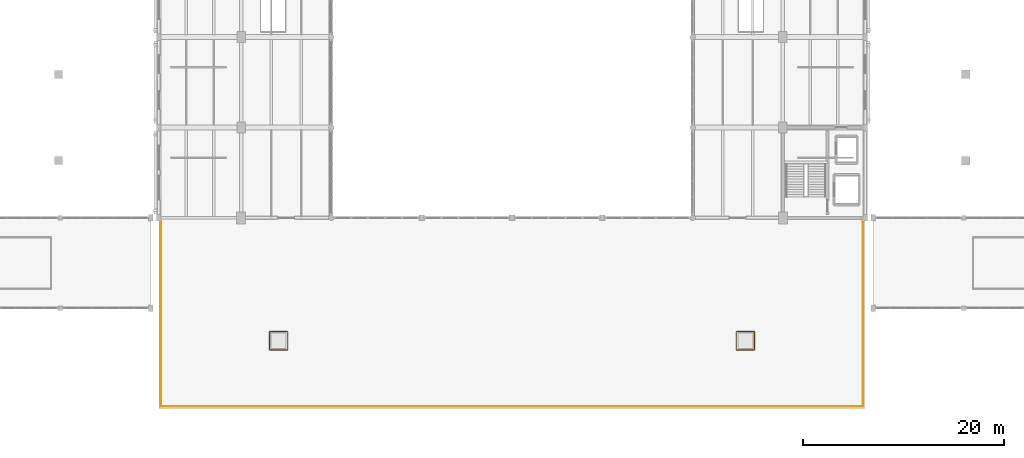
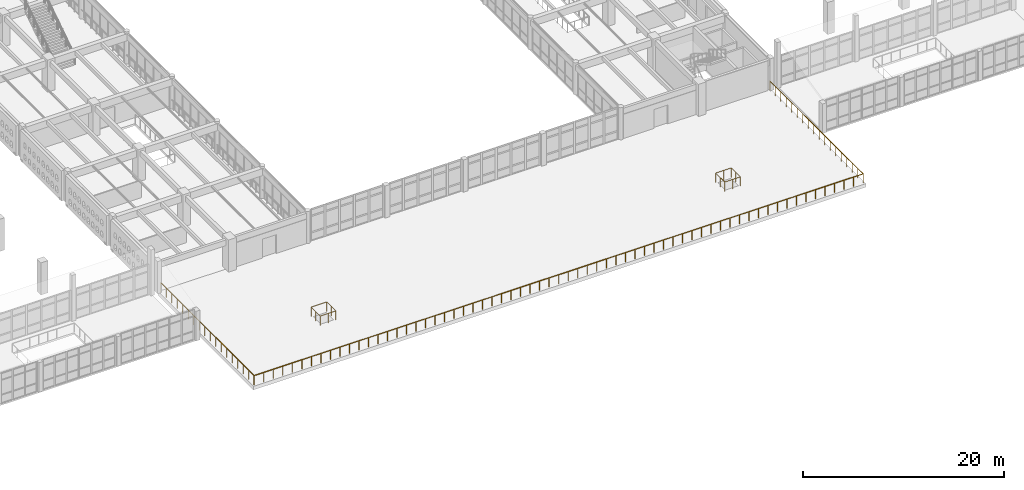
# One storey, part 145 of 156: 3 railings.
"""IFC4 building model written with IfcOpenShell, lengths in metres."""

import ifcopenshell
import ifcopenshell.guid

model = None  # the IFC model being written
_history = None  # IfcOwnerHistory: only IFC2X3 demands one
_inside = {}  # id of a spatial element -> (the spatial element, [elements in it])
_under = {}  # id of a project, library or spatial element -> (it, [spatial elements below it])
_declared = {}  # id of a project -> (the project, [libraries it declares])
_typed = {}  # id of a type object -> (the type object, [elements of that type])
_made_of = {}  # id of a material, layer set ... -> (it, [elements and type objects made of it])


def new_model(schema):
    """Start an empty IFC model of exactly this schema.

    Asked for "IFC4X3", IfcOpenShell would pick the latest addendum, in which some entities
    have other attributes; the version numbers below select the first issue.
    IFC2X3 requires an IfcOwnerHistory on every rooted entity: one is made here for all.
    """
    global model, _history
    if schema == "IFC4X3":
        model = ifcopenshell.file(schema_version=(4, 3, 0, 0))
    else:
        model = ifcopenshell.file(schema=schema)
    _inside.clear()
    _under.clear()
    _declared.clear()
    _typed.clear()
    _made_of.clear()
    _history = None
    if model.schema == "IFC2X3":
        org = make("IfcOrganization", Name="unknown")
        user = make(
            "IfcPersonAndOrganization",
            ThePerson=make("IfcPerson", FamilyName="unknown"),
            TheOrganization=org,
        )
        app = make(
            "IfcApplication",
            ApplicationDeveloper=org,
            Version="unknown",
            ApplicationFullName="unknown",
            ApplicationIdentifier="unknown",
        )
        _history = make(
            "IfcOwnerHistory",
            OwningUser=user,
            OwningApplication=app,
            ChangeAction="ADDED",
            CreationDate=0,
        )
    return model


def make(cls, **values):
    """One entity of the class cls with the attributes given. An attribute that is None is left unset."""
    return model.create_entity(
        cls, **{name: value for name, value in values.items() if value is not None}
    )


def rooted(cls, **values):
    """An entity with a GlobalId (a new one), such as an element, a storey or a relation."""
    return make(cls, GlobalId=ifcopenshell.guid.new(), OwnerHistory=_history, **values)


def si_unit(unit_type, name, prefix=None):
    """IfcSIUnit, for example si_unit("LENGTHUNIT", "METRE", prefix="MILLI")."""
    return make("IfcSIUnit", UnitType=unit_type, Prefix=prefix, Name=name)


def assignment(units):
    """IfcUnitAssignment: the units of a project."""
    return None if units is None else make("IfcUnitAssignment", Units=units)


def point(xyz):
    """IfcCartesianPoint."""
    return None if xyz is None else make("IfcCartesianPoint", Coordinates=xyz)


def direction(xyz):
    """IfcDirection."""
    return None if xyz is None else make("IfcDirection", DirectionRatios=xyz)


def frame(location, z_axis=None, x_axis=None):
    """IfcAxis2Placement3D, a coordinate frame: its origin and axes. An axis left out is left unset."""
    return make(
        "IfcAxis2Placement3D",
        Location=point(location),
        Axis=direction(z_axis),
        RefDirection=direction(x_axis),
    )


def frame_2d(location, x_axis=None):
    """IfcAxis2Placement2D, a coordinate frame in the plane: its origin and x axis."""
    return make(
        "IfcAxis2Placement2D", Location=point(location), RefDirection=direction(x_axis)
    )


def origin():
    """The frame at (0, 0, 0) with its axes left unset."""
    return frame((0.0, 0.0, 0.0))


def origin_2d():
    """The frame at (0, 0) in the plane with its x axis left unset."""
    return frame_2d((0.0, 0.0))


def place(relative_to, where):
    """IfcLocalPlacement: puts the frame where relative to a parent placement (None: the world)."""
    return make(
        "IfcLocalPlacement", PlacementRelTo=relative_to, RelativePlacement=where
    )


def context(
    kind, dimensions, precision=None, world=None, true_north=None, identifier=None
):
    """IfcGeometricRepresentationContext, for example the 3D "Model" context."""
    return make(
        "IfcGeometricRepresentationContext",
        ContextIdentifier=identifier,
        ContextType=kind,
        CoordinateSpaceDimension=dimensions,
        Precision=precision,
        WorldCoordinateSystem=world,
        TrueNorth=true_north,
    )


def subcontext(parent, identifier, kind, view, scale=None):
    """IfcGeometricRepresentationSubContext, for example "Body" below "Model"."""
    return make(
        "IfcGeometricRepresentationSubContext",
        ContextIdentifier=identifier,
        ContextType=kind,
        ParentContext=parent,
        TargetScale=scale,
        TargetView=view,
    )


def project(units=None, contexts=None):
    """IfcProject with its units and contexts."""
    return rooted(
        "IfcProject",
        Name="project",
        RepresentationContexts=contexts,
        UnitsInContext=assignment(units),
    )


def spatial(cls, under=None, at=None, **own):
    """A site, building, storey or space (cls), placed at a placement, below another one or the project."""
    s = rooted(cls, ObjectPlacement=at, **own)
    if under is not None:
        _under.setdefault(under.id(), (under, []))[1].append(s)
    return s


def profile(cls, at=None, kind="AREA", **sizes):
    """A parametric profile (cls). Its sizes go by their IFC names, for example OverallWidth=200.0."""
    return make(cls, ProfileType=kind, Position=at, **sizes)


def circle(**sizes):
    """IfcCircleProfileDef."""
    return profile("IfcCircleProfileDef", **sizes)


def extrude(swept, where, along, depth):
    """IfcExtrudedAreaSolid: the profile swept, set in the frame where, extruded along a direction by depth."""
    return make(
        "IfcExtrudedAreaSolid",
        SweptArea=swept,
        Position=where,
        ExtrudedDirection=direction(along),
        Depth=depth,
    )


def shape(context_of_items, identifier, shape_type, items):
    """IfcShapeRepresentation: the items that make up one representation, for example the "Body"."""
    return make(
        "IfcShapeRepresentation",
        ContextOfItems=context_of_items,
        RepresentationIdentifier=identifier,
        RepresentationType=shape_type,
        Items=items,
    )


def material(Name=None, Category=None):
    """IfcMaterial."""
    return make("IfcMaterial", Name=Name, Category=Category)


def made_of(thing, what):
    """Note that an element or type object is made of a material, layer set ...; save() writes the relation."""
    if what is not None:
        _made_of.setdefault(what.id(), (what, []))[1].append(thing)
    return thing


def type_object(cls, material=None, **own):
    """A type object (cls), such as IfcWallType, which elements share."""
    return made_of(rooted(cls, **own), material)


def element(
    cls,
    number,
    at=None,
    inside=None,
    cuts=None,
    type_object=None,
    material=None,
    context=None,
    identifier="Body",
    shape_type=None,
    held_by="IfcProductDefinitionShape",
    body=None,
    shapes=None,
    **own,
):
    """One element of the class cls, such as IfcWall. Its Tag is "e" and its number.

    at: its placement. inside: the storey or other place that contains it. cuts: it is an
    opening in that element (IfcRelVoidsElement). A single representation is given by context,
    identifier, shape_type and body (its items); several are given by shapes. held_by: the class
    of the entity that holds the representations. save() writes the other relations.
    """
    e = rooted(cls, Tag="e%d" % number, ObjectPlacement=at, **own)
    if body is not None:
        shapes = [shape(context, identifier, shape_type, body)]
    if shapes is not None:
        e.Representation = make(held_by, Representations=shapes)
    if inside is not None:
        _inside.setdefault(inside.id(), (inside, []))[1].append(e)
    if cuts is not None:
        rooted(
            "IfcRelVoidsElement", RelatingBuildingElement=cuts, RelatedOpeningElement=e
        )
    if type_object is not None:
        _typed.setdefault(type_object.id(), (type_object, []))[1].append(e)
    return made_of(e, material)


def aggregate(whole, parts):
    """IfcRelAggregates: a whole, such as a stair, and the parts it consists of."""
    return rooted("IfcRelAggregates", RelatingObject=whole, RelatedObjects=parts)


def save(model, path):
    """Write the relations noted so far, then the file.

    IfcRelAggregates (storeys below a building ...), IfcRelContainedInSpatialStructure (elements
    in a storey), IfcRelDefinesByType, IfcRelAssociatesMaterial and IfcRelDeclares: one each for
    every whole, place, type object, material and project.
    """
    for whole, parts in _under.values():
        aggregate(whole, parts)
    for where, things in _inside.values():
        rooted(
            "IfcRelContainedInSpatialStructure",
            RelatedElements=things,
            RelatingStructure=where,
        )
    for kind, things in _typed.values():
        rooted("IfcRelDefinesByType", RelatedObjects=things, RelatingType=kind)
    for what, things in _made_of.values():
        rooted("IfcRelAssociatesMaterial", RelatedObjects=things, RelatingMaterial=what)
    for by, libraries in _declared.values():
        rooted("IfcRelDeclares", RelatingContext=by, RelatedDefinitions=libraries)
    model.write(path)


model = new_model("IFC4")

# Units and contexts
model_context = context("Model", 3, precision=1e-05, world=origin(), true_north=direction((0.0, 1.0)))
body_context = subcontext(model_context, "Body", "Model", "MODEL_VIEW")
ifc_project = project(units=[si_unit("LENGTHUNIT", "METRE"), si_unit("AREAUNIT", "SQUARE_METRE"), si_unit("VOLUMEUNIT", "CUBIC_METRE"), si_unit("PLANEANGLEUNIT", "RADIAN"), si_unit("MASSUNIT", "GRAM", prefix="KILO")], contexts=[model_context])

# Site, building, storey
site_placement = place(None, origin())
site = spatial("IfcSite", under=ifc_project, at=site_placement, CompositionType="ELEMENT")
building_placement = place(site_placement, origin())
building = spatial("IfcBuilding", under=site, at=building_placement, Name="Ornek Quay Market", CompositionType="ELEMENT")
storey_placement = place(building_placement, frame((0.0, 0.0, 4.5)))
storey = spatial("IfcBuildingStorey", under=building, at=storey_placement, Name="L01", CompositionType="ELEMENT", Elevation=4.5)

# Railings
ifc_material = material(Name="Anodised bronze steel and laminated safety glass", Category="steel")
railing_type = type_object("IfcRailingType", Name="RL-GUARD-TER-1150", PredefinedType="BALUSTRADE", material=ifc_material)
railing_placement = place(storey_placement, frame((55.0, 28.800048828125, 0.0)))
element("IfcRailing", 1, at=railing_placement, inside=storey, type_object=railing_type, Name="Terrace balustrade GT-01", PredefinedType="BALUSTRADE", context=body_context, shape_type="SweptSolid", body=[
    extrude(circle(Radius=0.02392578125, at=origin_2d()), frame((0.0, 0.0, 1.1259765625), z_axis=(0.0, -1.0, 0.0), x_axis=(1.0, 0.0, 0.0)), (0.0, 0.0, 1.0), 18.570068359375),
    extrude(circle(Radius=0.02392578125, at=origin_2d()), frame((0.030029296875, -18.60009765625, 1.1259765625), z_axis=(1.0, 0.0, 0.0), x_axis=(0.0, 1.0, 0.0)), (0.0, 0.0, 1.0), 69.93994140625),
    extrude(circle(Radius=0.02392578125, at=origin_2d()), frame((70.0, -18.570068359375, 1.1259765625), z_axis=(0.0, 1.0, 0.0), x_axis=(-1.0, 0.0, 0.0)), (0.0, 0.0, 1.0), 18.570068359375),
    extrude(circle(Radius=0.02099609375, at=origin_2d()), origin(), (0.0, 0.0, 1.0), 1.097900390625),
    extrude(circle(Radius=0.02099609375, at=origin_2d()), frame((0.0, -1.09423828125, 0.0)), (0.0, 0.0, 1.0), 1.097900390625),
    extrude(circle(Radius=0.02099609375, at=origin_2d()), frame((0.0, -2.188232421875, 0.0)), (0.0, 0.0, 1.0), 1.097900390625),
    extrude(circle(Radius=0.02099609375, at=origin_2d()), frame((0.0, -3.282470703125, 0.0)), (0.0, 0.0, 1.0), 1.097900390625),
    extrude(circle(Radius=0.02099609375, at=origin_2d()), frame((0.0, -4.37646484375, 0.0)), (0.0, 0.0, 1.0), 1.097900390625),
    extrude(circle(Radius=0.02099609375, at=origin_2d()), frame((0.0, -5.470703125, 0.0)), (0.0, 0.0, 1.0), 1.097900390625),
    extrude(circle(Radius=0.02099609375, at=origin_2d()), frame((0.0, -6.564697265625, 0.0)), (0.0, 0.0, 1.0), 1.097900390625),
    extrude(circle(Radius=0.02099609375, at=origin_2d()), frame((0.0, -7.658935546875, 0.0)), (0.0, 0.0, 1.0), 1.097900390625),
    extrude(circle(Radius=0.02099609375, at=origin_2d()), frame((0.0, -8.7529296875, 0.0)), (0.0, 0.0, 1.0), 1.097900390625),
    extrude(circle(Radius=0.02099609375, at=origin_2d()), frame((0.0, -9.84716796875, 0.0)), (0.0, 0.0, 1.0), 1.097900390625),
    extrude(circle(Radius=0.02099609375, at=origin_2d()), frame((0.0, -10.941162109375, 0.0)), (0.0, 0.0, 1.0), 1.097900390625),
    extrude(circle(Radius=0.02099609375, at=origin_2d()), frame((0.0, -12.035400390625, 0.0)), (0.0, 0.0, 1.0), 1.097900390625),
    extrude(circle(Radius=0.02099609375, at=origin_2d()), frame((0.0, -13.12939453125, 0.0)), (0.0, 0.0, 1.0), 1.097900390625),
    extrude(circle(Radius=0.02099609375, at=origin_2d()), frame((0.0, -14.2236328125, 0.0)), (0.0, 0.0, 1.0), 1.097900390625),
    extrude(circle(Radius=0.02099609375, at=origin_2d()), frame((0.0, -15.317626953125, 0.0)), (0.0, 0.0, 1.0), 1.097900390625),
    extrude(circle(Radius=0.02099609375, at=origin_2d()), frame((0.0, -16.411865234375, 0.0)), (0.0, 0.0, 1.0), 1.097900390625),
    extrude(circle(Radius=0.02099609375, at=origin_2d()), frame((0.0, -17.505859375, 0.0)), (0.0, 0.0, 1.0), 1.097900390625),
    extrude(circle(Radius=0.02099609375, at=origin_2d()), frame((0.0, -18.60009765625, 0.0)), (0.0, 0.0, 1.0), 1.097900390625),
    extrude(circle(Radius=0.02099609375, at=origin_2d()), frame((1.09375, -18.60009765625, 0.0)), (0.0, 0.0, 1.0), 1.097900390625),
    extrude(circle(Radius=0.02099609375, at=origin_2d()), frame((2.1875, -18.60009765625, 0.0)), (0.0, 0.0, 1.0), 1.097900390625),
    extrude(circle(Radius=0.02099609375, at=origin_2d()), frame((3.28125, -18.60009765625, 0.0)), (0.0, 0.0, 1.0), 1.097900390625),
    extrude(circle(Radius=0.02099609375, at=origin_2d()), frame((4.375, -18.60009765625, 0.0)), (0.0, 0.0, 1.0), 1.097900390625),
    extrude(circle(Radius=0.02099609375, at=origin_2d()), frame((5.46875, -18.60009765625, 0.0)), (0.0, 0.0, 1.0), 1.097900390625),
    extrude(circle(Radius=0.02099609375, at=origin_2d()), frame((6.5625, -18.60009765625, 0.0)), (0.0, 0.0, 1.0), 1.097900390625),
    extrude(circle(Radius=0.02099609375, at=origin_2d()), frame((7.65625, -18.60009765625, 0.0)), (0.0, 0.0, 1.0), 1.097900390625),
    extrude(circle(Radius=0.02099609375, at=origin_2d()), frame((8.75, -18.60009765625, 0.0)), (0.0, 0.0, 1.0), 1.097900390625),
    extrude(circle(Radius=0.02099609375, at=origin_2d()), frame((9.84375, -18.60009765625, 0.0)), (0.0, 0.0, 1.0), 1.097900390625),
    extrude(circle(Radius=0.02099609375, at=origin_2d()), frame((10.9375, -18.60009765625, 0.0)), (0.0, 0.0, 1.0), 1.097900390625),
    extrude(circle(Radius=0.02099609375, at=origin_2d()), frame((12.03125, -18.60009765625, 0.0)), (0.0, 0.0, 1.0), 1.097900390625),
    extrude(circle(Radius=0.02099609375, at=origin_2d()), frame((13.125, -18.60009765625, 0.0)), (0.0, 0.0, 1.0), 1.097900390625),
    extrude(circle(Radius=0.02099609375, at=origin_2d()), frame((14.21875, -18.60009765625, 0.0)), (0.0, 0.0, 1.0), 1.097900390625),
    extrude(circle(Radius=0.02099609375, at=origin_2d()), frame((15.3125, -18.60009765625, 0.0)), (0.0, 0.0, 1.0), 1.097900390625),
    extrude(circle(Radius=0.02099609375, at=origin_2d()), frame((16.40625, -18.60009765625, 0.0)), (0.0, 0.0, 1.0), 1.097900390625),
    extrude(circle(Radius=0.02099609375, at=origin_2d()), frame((17.5, -18.60009765625, 0.0)), (0.0, 0.0, 1.0), 1.097900390625),
    extrude(circle(Radius=0.02099609375, at=origin_2d()), frame((18.59375, -18.60009765625, 0.0)), (0.0, 0.0, 1.0), 1.097900390625),
    extrude(circle(Radius=0.02099609375, at=origin_2d()), frame((19.6875, -18.60009765625, 0.0)), (0.0, 0.0, 1.0), 1.097900390625),
    extrude(circle(Radius=0.02099609375, at=origin_2d()), frame((20.78125, -18.60009765625, 0.0)), (0.0, 0.0, 1.0), 1.097900390625),
    extrude(circle(Radius=0.02099609375, at=origin_2d()), frame((21.875, -18.60009765625, 0.0)), (0.0, 0.0, 1.0), 1.097900390625),
    extrude(circle(Radius=0.02099609375, at=origin_2d()), frame((22.96875, -18.60009765625, 0.0)), (0.0, 0.0, 1.0), 1.097900390625),
    extrude(circle(Radius=0.02099609375, at=origin_2d()), frame((24.0625, -18.60009765625, 0.0)), (0.0, 0.0, 1.0), 1.097900390625),
    extrude(circle(Radius=0.02099609375, at=origin_2d()), frame((25.15625, -18.60009765625, 0.0)), (0.0, 0.0, 1.0), 1.097900390625),
    extrude(circle(Radius=0.02099609375, at=origin_2d()), frame((26.25, -18.60009765625, 0.0)), (0.0, 0.0, 1.0), 1.097900390625),
    extrude(circle(Radius=0.02099609375, at=origin_2d()), frame((27.34375, -18.60009765625, 0.0)), (0.0, 0.0, 1.0), 1.097900390625),
    extrude(circle(Radius=0.02099609375, at=origin_2d()), frame((28.4375, -18.60009765625, 0.0)), (0.0, 0.0, 1.0), 1.097900390625),
    extrude(circle(Radius=0.02099609375, at=origin_2d()), frame((29.53125, -18.60009765625, 0.0)), (0.0, 0.0, 1.0), 1.097900390625),
    extrude(circle(Radius=0.02099609375, at=origin_2d()), frame((30.625, -18.60009765625, 0.0)), (0.0, 0.0, 1.0), 1.097900390625),
    extrude(circle(Radius=0.02099609375, at=origin_2d()), frame((31.71875, -18.60009765625, 0.0)), (0.0, 0.0, 1.0), 1.097900390625),
    extrude(circle(Radius=0.02099609375, at=origin_2d()), frame((32.8125, -18.60009765625, 0.0)), (0.0, 0.0, 1.0), 1.097900390625),
    extrude(circle(Radius=0.02099609375, at=origin_2d()), frame((33.90625, -18.60009765625, 0.0)), (0.0, 0.0, 1.0), 1.097900390625),
    extrude(circle(Radius=0.02099609375, at=origin_2d()), frame((35.0, -18.60009765625, 0.0)), (0.0, 0.0, 1.0), 1.097900390625),
    extrude(circle(Radius=0.02099609375, at=origin_2d()), frame((36.09375, -18.60009765625, 0.0)), (0.0, 0.0, 1.0), 1.097900390625),
    extrude(circle(Radius=0.02099609375, at=origin_2d()), frame((37.1875, -18.60009765625, 0.0)), (0.0, 0.0, 1.0), 1.097900390625),
    extrude(circle(Radius=0.02099609375, at=origin_2d()), frame((38.28125, -18.60009765625, 0.0)), (0.0, 0.0, 1.0), 1.097900390625),
    extrude(circle(Radius=0.02099609375, at=origin_2d()), frame((39.375, -18.60009765625, 0.0)), (0.0, 0.0, 1.0), 1.097900390625),
    extrude(circle(Radius=0.02099609375, at=origin_2d()), frame((40.46875, -18.60009765625, 0.0)), (0.0, 0.0, 1.0), 1.097900390625),
    extrude(circle(Radius=0.02099609375, at=origin_2d()), frame((41.5625, -18.60009765625, 0.0)), (0.0, 0.0, 1.0), 1.097900390625),
    extrude(circle(Radius=0.02099609375, at=origin_2d()), frame((42.65625, -18.60009765625, 0.0)), (0.0, 0.0, 1.0), 1.097900390625),
    extrude(circle(Radius=0.02099609375, at=origin_2d()), frame((43.75, -18.60009765625, 0.0)), (0.0, 0.0, 1.0), 1.097900390625),
    extrude(circle(Radius=0.02099609375, at=origin_2d()), frame((44.84375, -18.60009765625, 0.0)), (0.0, 0.0, 1.0), 1.097900390625),
    extrude(circle(Radius=0.02099609375, at=origin_2d()), frame((45.9375, -18.60009765625, 0.0)), (0.0, 0.0, 1.0), 1.097900390625),
    extrude(circle(Radius=0.02099609375, at=origin_2d()), frame((47.03125, -18.60009765625, 0.0)), (0.0, 0.0, 1.0), 1.097900390625),
    extrude(circle(Radius=0.02099609375, at=origin_2d()), frame((48.125, -18.60009765625, 0.0)), (0.0, 0.0, 1.0), 1.097900390625),
    extrude(circle(Radius=0.02099609375, at=origin_2d()), frame((49.21875, -18.60009765625, 0.0)), (0.0, 0.0, 1.0), 1.097900390625),
    extrude(circle(Radius=0.02099609375, at=origin_2d()), frame((50.3125, -18.60009765625, 0.0)), (0.0, 0.0, 1.0), 1.097900390625),
    extrude(circle(Radius=0.02099609375, at=origin_2d()), frame((51.40625, -18.60009765625, 0.0)), (0.0, 0.0, 1.0), 1.097900390625),
    extrude(circle(Radius=0.02099609375, at=origin_2d()), frame((52.5, -18.60009765625, 0.0)), (0.0, 0.0, 1.0), 1.097900390625),
    extrude(circle(Radius=0.02099609375, at=origin_2d()), frame((53.59375, -18.60009765625, 0.0)), (0.0, 0.0, 1.0), 1.097900390625),
    extrude(circle(Radius=0.02099609375, at=origin_2d()), frame((54.6875, -18.60009765625, 0.0)), (0.0, 0.0, 1.0), 1.097900390625),
    extrude(circle(Radius=0.02099609375, at=origin_2d()), frame((55.78125, -18.60009765625, 0.0)), (0.0, 0.0, 1.0), 1.097900390625),
    extrude(circle(Radius=0.02099609375, at=origin_2d()), frame((56.875, -18.60009765625, 0.0)), (0.0, 0.0, 1.0), 1.097900390625),
    extrude(circle(Radius=0.02099609375, at=origin_2d()), frame((57.96875, -18.60009765625, 0.0)), (0.0, 0.0, 1.0), 1.097900390625),
    extrude(circle(Radius=0.02099609375, at=origin_2d()), frame((59.0625, -18.60009765625, 0.0)), (0.0, 0.0, 1.0), 1.097900390625),
    extrude(circle(Radius=0.02099609375, at=origin_2d()), frame((60.15625, -18.60009765625, 0.0)), (0.0, 0.0, 1.0), 1.097900390625),
    extrude(circle(Radius=0.02099609375, at=origin_2d()), frame((61.25, -18.60009765625, 0.0)), (0.0, 0.0, 1.0), 1.097900390625),
    extrude(circle(Radius=0.02099609375, at=origin_2d()), frame((62.34375, -18.60009765625, 0.0)), (0.0, 0.0, 1.0), 1.097900390625),
    extrude(circle(Radius=0.02099609375, at=origin_2d()), frame((63.4375, -18.60009765625, 0.0)), (0.0, 0.0, 1.0), 1.097900390625),
    extrude(circle(Radius=0.02099609375, at=origin_2d()), frame((64.53125, -18.60009765625, 0.0)), (0.0, 0.0, 1.0), 1.097900390625),
    extrude(circle(Radius=0.02099609375, at=origin_2d()), frame((65.625, -18.60009765625, 0.0)), (0.0, 0.0, 1.0), 1.097900390625),
    extrude(circle(Radius=0.02099609375, at=origin_2d()), frame((66.71875, -18.60009765625, 0.0)), (0.0, 0.0, 1.0), 1.097900390625),
    extrude(circle(Radius=0.02099609375, at=origin_2d()), frame((67.8125, -18.60009765625, 0.0)), (0.0, 0.0, 1.0), 1.097900390625),
    extrude(circle(Radius=0.02099609375, at=origin_2d()), frame((68.90625, -18.60009765625, 0.0)), (0.0, 0.0, 1.0), 1.097900390625),
    extrude(circle(Radius=0.02099609375, at=origin_2d()), frame((70.0, -18.60009765625, 0.0)), (0.0, 0.0, 1.0), 1.097900390625),
    extrude(circle(Radius=0.02099609375, at=origin_2d()), frame((70.0, -17.505859375, 0.0)), (0.0, 0.0, 1.0), 1.097900390625),
    extrude(circle(Radius=0.02099609375, at=origin_2d()), frame((70.0, -16.411865234375, 0.0)), (0.0, 0.0, 1.0), 1.097900390625),
    extrude(circle(Radius=0.02099609375, at=origin_2d()), frame((70.0, -15.317626953125, 0.0)), (0.0, 0.0, 1.0), 1.097900390625),
    extrude(circle(Radius=0.02099609375, at=origin_2d()), frame((70.0, -14.2236328125, 0.0)), (0.0, 0.0, 1.0), 1.097900390625),
    extrude(circle(Radius=0.02099609375, at=origin_2d()), frame((70.0, -13.12939453125, 0.0)), (0.0, 0.0, 1.0), 1.097900390625),
    extrude(circle(Radius=0.02099609375, at=origin_2d()), frame((70.0, -12.035400390625, 0.0)), (0.0, 0.0, 1.0), 1.097900390625),
    extrude(circle(Radius=0.02099609375, at=origin_2d()), frame((70.0, -10.941162109375, 0.0)), (0.0, 0.0, 1.0), 1.097900390625),
    extrude(circle(Radius=0.02099609375, at=origin_2d()), frame((70.0, -9.84716796875, 0.0)), (0.0, 0.0, 1.0), 1.097900390625),
    extrude(circle(Radius=0.02099609375, at=origin_2d()), frame((70.0, -8.7529296875, 0.0)), (0.0, 0.0, 1.0), 1.097900390625),
    extrude(circle(Radius=0.02099609375, at=origin_2d()), frame((70.0, -7.658935546875, 0.0)), (0.0, 0.0, 1.0), 1.097900390625),
    extrude(circle(Radius=0.02099609375, at=origin_2d()), frame((70.0, -6.564697265625, 0.0)), (0.0, 0.0, 1.0), 1.097900390625),
    extrude(circle(Radius=0.02099609375, at=origin_2d()), frame((70.0, -5.470703125, 0.0)), (0.0, 0.0, 1.0), 1.097900390625),
    extrude(circle(Radius=0.02099609375, at=origin_2d()), frame((70.0, -4.37646484375, 0.0)), (0.0, 0.0, 1.0), 1.097900390625),
    extrude(circle(Radius=0.02099609375, at=origin_2d()), frame((70.0, -3.282470703125, 0.0)), (0.0, 0.0, 1.0), 1.097900390625),
    extrude(circle(Radius=0.02099609375, at=origin_2d()), frame((70.0, -2.188232421875, 0.0)), (0.0, 0.0, 1.0), 1.097900390625),
    extrude(circle(Radius=0.02099609375, at=origin_2d()), frame((70.0, -1.09423828125, 0.0)), (0.0, 0.0, 1.0), 1.097900390625),
    extrude(circle(Radius=0.02099609375, at=origin_2d()), frame((70.0, 0.0, 0.0)), (0.0, 0.0, 1.0), 1.097900390625),
])
for number, where, name in (
    (2, (65.85009765625, 15.85009765625, 0.0), "Terrace balustrade GT-06"),
    (3, (112.35009765625, 15.85009765625, 0.0), "Terrace balustrade GT-07"),
):
    element("IfcRailing", number, at=place(storey_placement, frame(where)), inside=storey, type_object=railing_type, Name=name, PredefinedType="BALUSTRADE", context=body_context, shape_type="SweptSolid", body=[
        extrude(circle(Radius=0.02392578125, at=origin_2d()), frame((0.0, 0.0, 1.1259765625), z_axis=(1.0, 0.0, 0.0), x_axis=(0.0, 1.0, 0.0)), (0.0, 0.0, 1.0), 1.769775390625),
        extrude(circle(Radius=0.02392578125, at=origin_2d()), frame((1.7998046875, 0.030029296875, 1.1259765625), z_axis=(0.0, 1.0, 0.0), x_axis=(-1.0, 0.0, 0.0)), (0.0, 0.0, 1.0), 1.73974609375),
        extrude(circle(Radius=0.02392578125, at=origin_2d()), frame((1.769775390625, 1.7998046875, 1.1259765625), z_axis=(-1.0, 0.0, 0.0), x_axis=(0.0, -1.0, 0.0)), (0.0, 0.0, 1.0), 1.73974609375),
        extrude(circle(Radius=0.02392578125, at=origin_2d()), frame((0.0, 1.769775390625, 1.1259765625), z_axis=(0.0, -1.0, 0.0), x_axis=(1.0, 0.0, 0.0)), (0.0, 0.0, 1.0), 1.769775390625),
        extrude(circle(Radius=0.02099609375, at=origin_2d()), origin(), (0.0, 0.0, 1.0), 1.097900390625),
        extrude(circle(Radius=0.02099609375, at=origin_2d()), frame((0.89990234375, 0.0, 0.0)), (0.0, 0.0, 1.0), 1.097900390625),
        extrude(circle(Radius=0.02099609375, at=origin_2d()), frame((1.7998046875, 0.0, 0.0)), (0.0, 0.0, 1.0), 1.097900390625),
        extrude(circle(Radius=0.02099609375, at=origin_2d()), frame((1.7998046875, 0.89990234375, 0.0)), (0.0, 0.0, 1.0), 1.097900390625),
        extrude(circle(Radius=0.02099609375, at=origin_2d()), frame((1.7998046875, 1.7998046875, 0.0)), (0.0, 0.0, 1.0), 1.097900390625),
        extrude(circle(Radius=0.02099609375, at=origin_2d()), frame((0.89990234375, 1.7998046875, 0.0)), (0.0, 0.0, 1.0), 1.097900390625),
        extrude(circle(Radius=0.02099609375, at=origin_2d()), frame((0.0, 1.7998046875, 0.0)), (0.0, 0.0, 1.0), 1.097900390625),
        extrude(circle(Radius=0.02099609375, at=origin_2d()), frame((0.0, 0.89990234375, 0.0)), (0.0, 0.0, 1.0), 1.097900390625),
    ])

save(model, "model.ifc")
